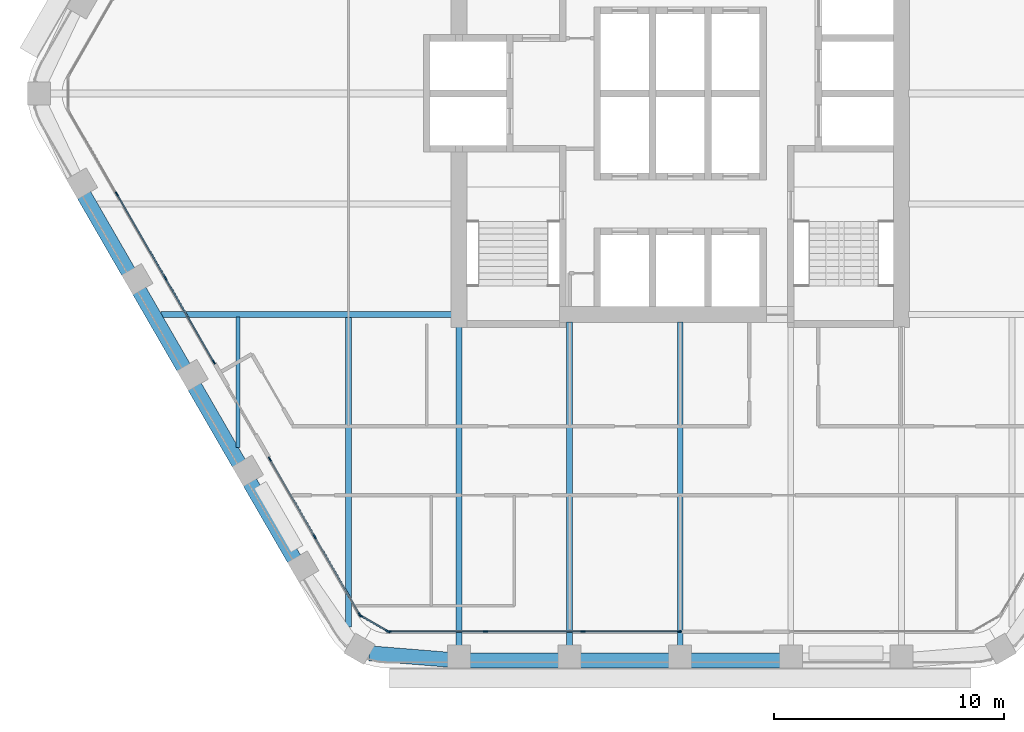
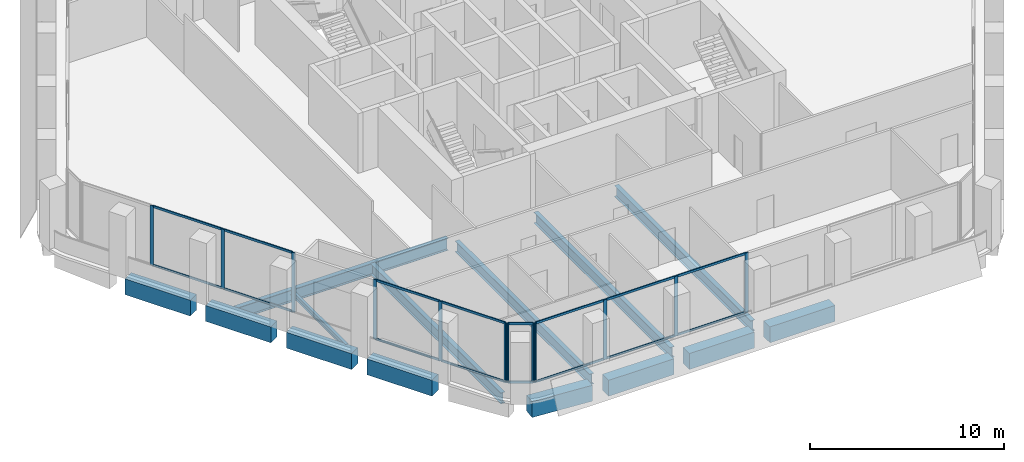
# One storey, part 2 of 15: 28 members, 14 beams, 4 elements without a shape of their own.
"""IFC4 building model written with IfcOpenShell, lengths in metres."""

from ifc_helpers import new_model, si_unit, direction, frame, origin, origin_2d, place, context, subcontext, project, spatial, rectangle, i_section, extrude, material, material_profile, profile_set, type_object, element, aggregate, save


model = new_model("IFC4")

# Units and contexts
model_context = context("Model", 3, precision=1e-05, world=origin(), true_north=direction((0.0, 1.0)))
body_context = subcontext(model_context, "Body", "Model", "MODEL_VIEW")
ifc_project = project(units=[si_unit("LENGTHUNIT", "METRE"), si_unit("AREAUNIT", "SQUARE_METRE"), si_unit("VOLUMEUNIT", "CUBIC_METRE"), si_unit("PLANEANGLEUNIT", "RADIAN"), si_unit("MASSUNIT", "GRAM", prefix="KILO")], contexts=[model_context])

# Site, building, storey
site_placement = place(None, origin())
site = spatial("IfcSite", under=ifc_project, at=site_placement, CompositionType="ELEMENT")
building_placement = place(site_placement, origin())
building = spatial("IfcBuilding", under=site, at=building_placement, Name="Kolab Exchange Tower", CompositionType="ELEMENT")
storey_placement = place(building_placement, frame((0.0, 0.0, 201.199951171875)))
storey = spatial("IfcBuildingStorey", under=building, at=storey_placement, Name="L43", CompositionType="ELEMENT", Elevation=201.199951171875)

# Beams
ifc_material_1 = material(Name="Steel S355", Category="steel")
ifc_material_profile_1 = material_profile(ifc_material_1, i_section(OverallWidth=0.1650390625, OverallDepth=0.31005859375, WebThickness=0.005859375, FlangeThickness=0.009765625, at=origin_2d()), Name="W310X39")
ifc_profile_set_1 = profile_set([ifc_material_profile_1], Name="Steel S355")
beam_type_1 = type_object("IfcBeamType", Name="FLOOR BEAM W310X39", PredefinedType="BEAM", material=ifc_profile_set_1)
beam_1_placement = place(storey_placement, frame((-19.199951171875, -15.36767578125, -0.304931640625), z_axis=(0.0, 1.0, 0.0), x_axis=(-1.0, 0.0, 0.0)))
element("IfcBeam", 1, at=beam_1_placement, inside=storey, type_object=beam_type_1, Name="beam/L43/fr/003", PredefinedType="BEAM", context=body_context, shape_type="SweptSolid", body=[
    extrude(i_section(OverallWidth=0.1650390625, OverallDepth=0.31005859375, WebThickness=0.005859375, FlangeThickness=0.009765625, at=origin_2d()), origin(), (0.0, 0.0, 1.0), 5.674072265625),
])
ifc_material_profile_2 = material_profile(ifc_material_1, i_section(OverallWidth=0.25390625, OverallDepth=0.68408203125, WebThickness=0.012451171875, FlangeThickness=0.018798828125, at=origin_2d()), Name="W690X140")
ifc_profile_set_2 = profile_set([ifc_material_profile_2], Name="Steel S355")
beam_type_2 = type_object("IfcBeamType", Name="FLOOR BEAM W690X140", PredefinedType="BEAM", material=ifc_profile_set_2)
beam_2_placement = place(storey_placement, frame((-14.39990234375, -23.15576171875, -0.491943359375), z_axis=(0.0, 1.0, 0.0), x_axis=(-1.0, 0.0, 0.0)))
element("IfcBeam", 2, at=beam_2_placement, inside=storey, type_object=beam_type_2, Name="beam/L43/fr/005", PredefinedType="BEAM", context=body_context, shape_type="SweptSolid", body=[
    extrude(i_section(OverallWidth=0.25390625, OverallDepth=0.68408203125, WebThickness=0.012451171875, FlangeThickness=0.018798828125, at=origin_2d()), origin(), (0.0, 0.0, 1.0), 13.462158203125),
])
beam_3_placement = place(storey_placement, frame((-9.60009765625, -23.9814453125, -0.491943359375), z_axis=(0.0, 1.0, 0.0), x_axis=(-1.0, 0.0, 0.0)))
element("IfcBeam", 3, at=beam_3_placement, inside=storey, type_object=beam_type_2, Name="beam/L43/fr/007", PredefinedType="BEAM", context=body_context, shape_type="SweptSolid", body=[
    extrude(i_section(OverallWidth=0.25390625, OverallDepth=0.68408203125, WebThickness=0.012451171875, FlangeThickness=0.018798828125, at=origin_2d()), origin(), (0.0, 0.0, 1.0), 13.871337890625),
])
for number, where, z_axis, x_axis, name in (
    (4, (-4.800048828125, -23.9814453125, -0.491943359375), (0.0, 1.0, 0.0), (-1.0, 0.0, 0.0), "beam/L43/fr/009"),
    (5, (0.0, -23.9814453125, -0.491943359375), (0.0, 1.0, 0.0), (-1.0, 0.0, 0.0), "beam/L43/fr/011"),
):
    element("IfcBeam", number, at=place(storey_placement, frame(where, z_axis=z_axis, x_axis=x_axis)), inside=storey, type_object=beam_type_2, Name=name, PredefinedType="BEAM", context=body_context, shape_type="SweptSolid", body=[
        extrude(i_section(OverallWidth=0.25390625, OverallDepth=0.68408203125, WebThickness=0.012451171875, FlangeThickness=0.018798828125, at=origin_2d()), origin(), (0.0, 0.0, 1.0), 14.071533203125),
    ])
ifc_material_profile_3 = material_profile(ifc_material_1, i_section(OverallWidth=0.26708984375, OverallDepth=0.761962890625, WebThickness=0.014404296875, FlangeThickness=0.021484375, at=origin_2d()), Name="W760X173")
ifc_profile_set_3 = profile_set([ifc_material_profile_3], Name="Steel S355")
beam_type_3 = type_object("IfcBeamType", Name="FLOOR GIRDER W760X173", PredefinedType="BEAM", material=ifc_profile_set_3)
beam_4_placement = place(storey_placement, frame((-22.546875, -9.60009765625, -0.531005859375), z_axis=(1.0, 0.0, 0.0), x_axis=(0.0, 1.0, 0.0)))
element("IfcBeam", 6, at=beam_4_placement, inside=storey, type_object=beam_type_3, Name="beam/L43/gd/000", PredefinedType="BEAM", context=body_context, shape_type="SweptSolid", body=[
    extrude(i_section(OverallWidth=0.26708984375, OverallDepth=0.761962890625, WebThickness=0.014404296875, FlangeThickness=0.021484375, at=origin_2d()), origin(), (0.0, 0.0, 1.0), 12.636962890625),
])
ifc_material_2 = material(Name="Concrete C60/75", Category="concrete")
ifc_material_profile_4 = material_profile(ifc_material_2, rectangle(XDim=0.64990234375, YDim=1.0, at=origin_2d()), Name="RC650X1000")
ifc_profile_set_4 = profile_set([ifc_material_profile_4], Name="Concrete C60/75")
beam_type_4 = type_object("IfcBeamType", Name="SPANDREL BEAM 650X1000 C60/75", PredefinedType="BEAM", material=ifc_profile_set_4)
for number, where, z_axis, x_axis, name in (
    (7, (4.340087890625, -24.616455078125, -0.64990234375), (-1.0, 0.0, 0.0), (0.0, -1.0, 0.0), "beam/L43/sp/F4-03"),
    (8, (-0.4599609375, -24.616455078125, -0.64990234375), (-1.0, 0.0, 0.0), (0.0, -1.0, 0.0), "beam/L43/sp/F4-04"),
):
    element("IfcBeam", number, at=place(storey_placement, frame(where, z_axis=z_axis, x_axis=x_axis)), inside=storey, type_object=beam_type_4, Name=name, PredefinedType="BEAM", context=body_context, shape_type="SweptSolid", body=[
        extrude(rectangle(XDim=0.64990234375, YDim=1.0, at=origin_2d()), origin(), (0.0, 0.0, 1.0), 3.880126953125),
    ])
beam_5_placement = place(storey_placement, frame((-5.260009765625, -24.616455078125, -0.64990234375), z_axis=(-1.0, 0.0, 0.0), x_axis=(0.0, -1.0, 0.0)))
element("IfcBeam", 9, at=beam_5_placement, inside=storey, type_object=beam_type_4, Name="beam/L43/sp/F4-05", PredefinedType="BEAM", context=body_context, shape_type="SweptSolid", body=[
    extrude(rectangle(XDim=0.64990234375, YDim=1.0, at=origin_2d()), origin(), (0.0, 0.0, 1.0), 3.8798828125),
])
beam_6_placement = place(storey_placement, frame((-10.06005859375, -24.5791015625, -0.64990234375), z_axis=(-0.996708497182, 0.081068931445, 0.0), x_axis=(-0.081068931445, -0.996708497182, 0.0)))
element("IfcBeam", 10, at=beam_6_placement, inside=storey, type_object=beam_type_4, Name="beam/L43/sp/F4-06", PredefinedType="BEAM", context=body_context, shape_type="SweptSolid", body=[
    extrude(rectangle(XDim=0.64990234375, YDim=1.0, at=origin_2d()), origin(), (0.0, 0.0, 1.0), 3.445068359375),
])
beam_7_placement = place(storey_placement, frame((-16.74853515625, -20.2236328125, -0.64990234375), z_axis=(-0.499996613652, 0.866027358884, 0.0), x_axis=(-0.866027358884, -0.499996613652, 0.0)))
element("IfcBeam", 11, at=beam_7_placement, inside=storey, type_object=beam_type_4, Name="beam/L43/sp/F5-02", PredefinedType="BEAM", context=body_context, shape_type="SweptSolid", body=[
    extrude(rectangle(XDim=0.64990234375, YDim=1.0, at=origin_2d()), origin(), (0.0, 0.0, 1.0), 3.8798828125),
])
beam_8_placement = place(storey_placement, frame((-19.1484375, -16.06689453125, -0.64990234375), z_axis=(-0.50001655835, 0.866015843605, 0.0), x_axis=(-0.866015843605, -0.50001655835, 0.0)))
element("IfcBeam", 12, at=beam_8_placement, inside=storey, type_object=beam_type_4, Name="beam/L43/sp/F5-03", PredefinedType="BEAM", context=body_context, shape_type="SweptSolid", body=[
    extrude(rectangle(XDim=0.64990234375, YDim=1.0, at=origin_2d()), origin(), (0.0, 0.0, 1.0), 3.880126953125),
])
for number, where, z_axis, x_axis, name in (
    (13, (-21.548583984375, -11.909912109375, -0.64990234375), (-0.499996613652, 0.866027358884, 0.0), (-0.866027358884, -0.499996613652, 0.0), "beam/L43/sp/F5-04"),
    (14, (-23.948486328125, -7.7529296875, -0.64990234375), (-0.499996613652, 0.866027358884, 0.0), (-0.866027358884, -0.499996613652, 0.0), "beam/L43/sp/F5-05"),
):
    element("IfcBeam", number, at=place(storey_placement, frame(where, z_axis=z_axis, x_axis=x_axis)), inside=storey, type_object=beam_type_4, Name=name, PredefinedType="BEAM", context=body_context, shape_type="SweptSolid", body=[
        extrude(rectangle(XDim=0.64990234375, YDim=1.0, at=origin_2d()), origin(), (0.0, 0.0, 1.0), 3.8798828125),
    ])

# Curtain wall, members
ifc_material_3 = material(Name="Aluminium EN AW-6063 T6", Category="aluminium")
curtain_wall_type = type_object("IfcCurtainWallType", Name="UNITISED UPPER MID ZONE CURTAIN WALL", PredefinedType="NOTDEFINED", material=ifc_material_3)
curtain_wall_1_placement = place(storey_placement, origin())
curtain_wall_1 = element("IfcCurtainWall", 15, at=curtain_wall_1_placement, inside=storey, type_object=curtain_wall_type, Name="cw/L43/F4-2", PredefinedType="NOTDEFINED")
ifc_material_profile_5 = material_profile(ifc_material_3, rectangle(XDim=0.06005859375, YDim=0.199951171875, at=origin_2d()), Name="RECT 60X200")
ifc_profile_set_5 = profile_set([ifc_material_profile_5], Name="Aluminium EN AW-6063 T6")
member_type_1 = type_object("IfcMemberType", Name="UNITISED UPPER MID ZONE MULLION 60 X 200", PredefinedType="MULLION", material=ifc_profile_set_5)
member_1_placement = place(storey_placement, frame((-0.030029296875, -23.361572265625, 0.0), z_axis=(0.0, 0.0, 1.0), x_axis=(0.0, -1.0, 0.0)))
member_1 = element("IfcMember", 16, at=member_1_placement, type_object=member_type_1, Name="CW3 mullion 1", PredefinedType="MULLION", context=body_context, shape_type="SweptSolid", body=[
    extrude(rectangle(XDim=0.06005859375, YDim=0.199951171875, at=origin_2d()), origin(), (0.0, 0.0, 1.0), 3.75),
])
member_2_placement = place(storey_placement, frame((-4.22265625, -23.361572265625, 0.0), z_axis=(0.0, 0.0, 1.0), x_axis=(0.0, -1.0, 0.0)))
member_2 = element("IfcMember", 17, at=member_2_placement, type_object=member_type_1, Name="CW3 mullion 2", PredefinedType="MULLION", context=body_context, shape_type="SweptSolid", body=[
    extrude(rectangle(XDim=0.06005859375, YDim=0.199951171875, at=origin_2d()), origin(), (0.0, 0.0, 1.0), 3.75),
])
member_3_placement = place(storey_placement, frame((-8.4453125, -23.361572265625, 0.0), z_axis=(0.0, 0.0, 1.0), x_axis=(0.0, -1.0, 0.0)))
member_3 = element("IfcMember", 18, at=member_3_placement, type_object=member_type_1, Name="CW3 mullion 3", PredefinedType="MULLION", context=body_context, shape_type="SweptSolid", body=[
    extrude(rectangle(XDim=0.06005859375, YDim=0.199951171875, at=origin_2d()), origin(), (0.0, 0.0, 1.0), 3.75),
])
member_4_placement = place(storey_placement, frame((-12.637939453125, -23.361572265625, 0.0), z_axis=(0.0, 0.0, 1.0), x_axis=(0.0, -1.0, 0.0)))
member_4 = element("IfcMember", 19, at=member_4_placement, type_object=member_type_1, Name="CW3 mullion 4", PredefinedType="MULLION", context=body_context, shape_type="SweptSolid", body=[
    extrude(rectangle(XDim=0.06005859375, YDim=0.199951171875, at=origin_2d()), origin(), (0.0, 0.0, 1.0), 3.75),
])

curtain_wall_2_placement = place(storey_placement, origin())
curtain_wall_2 = element("IfcCurtainWall", 20, at=curtain_wall_2_placement, inside=storey, type_object=curtain_wall_type, Name="cw/L43/F5-1", PredefinedType="NOTDEFINED")
member_5_placement = place(storey_placement, frame((-13.91259765625, -22.62548828125, 0.0), z_axis=(0.0, 0.0, 1.0), x_axis=(-0.866025385493, -0.500000031681, 0.0)))
member_5 = element("IfcMember", 21, at=member_5_placement, type_object=member_type_1, Name="CW3 mullion 1", PredefinedType="MULLION", context=body_context, shape_type="SweptSolid", body=[
    extrude(rectangle(XDim=0.06005859375, YDim=0.199951171875, at=origin_2d()), origin(), (0.0, 0.0, 1.0), 3.75),
])
member_6_placement = place(storey_placement, frame((-15.86474609375, -19.24462890625, 0.0), z_axis=(0.0, 0.0, 1.0), x_axis=(-0.866025385493, -0.500000031681, 0.0)))
member_6 = element("IfcMember", 22, at=member_6_placement, type_object=member_type_1, Name="CW3 mullion 2", PredefinedType="MULLION", context=body_context, shape_type="SweptSolid", body=[
    extrude(rectangle(XDim=0.06005859375, YDim=0.199951171875, at=origin_2d()), origin(), (0.0, 0.0, 1.0), 3.75),
])
member_7_placement = place(storey_placement, frame((-17.816650390625, -15.86376953125, 0.0), z_axis=(0.0, 0.0, 1.0), x_axis=(-0.866025385493, -0.500000031681, 0.0)))
member_7 = element("IfcMember", 23, at=member_7_placement, type_object=member_type_1, Name="CW3 mullion 3", PredefinedType="MULLION", context=body_context, shape_type="SweptSolid", body=[
    extrude(rectangle(XDim=0.06005859375, YDim=0.199951171875, at=origin_2d()), origin(), (0.0, 0.0, 1.0), 3.75),
])

curtain_wall_3_placement = place(storey_placement, origin())
curtain_wall_3 = element("IfcCurtainWall", 24, at=curtain_wall_3_placement, inside=storey, type_object=curtain_wall_type, Name="cw/L43/F5-2", PredefinedType="NOTDEFINED")
member_8_placement = place(storey_placement, frame((-20.24658203125, -11.65478515625, 0.0), z_axis=(0.0, 0.0, 1.0), x_axis=(-0.866025427826, -0.499999958358, 0.0)))
member_8 = element("IfcMember", 25, at=member_8_placement, type_object=member_type_1, Name="CW3 mullion 1", PredefinedType="MULLION", context=body_context, shape_type="SweptSolid", body=[
    extrude(rectangle(XDim=0.06005859375, YDim=0.199951171875, at=origin_2d()), origin(), (0.0, 0.0, 1.0), 3.75),
])
member_9_placement = place(storey_placement, frame((-22.343017578125, -8.02392578125, 0.0), z_axis=(0.0, 0.0, 1.0), x_axis=(-0.866025427826, -0.499999958358, 0.0)))
member_9 = element("IfcMember", 26, at=member_9_placement, type_object=member_type_1, Name="CW3 mullion 2", PredefinedType="MULLION", context=body_context, shape_type="SweptSolid", body=[
    extrude(rectangle(XDim=0.06005859375, YDim=0.199951171875, at=origin_2d()), origin(), (0.0, 0.0, 1.0), 3.75),
])
member_10_placement = place(storey_placement, frame((-24.454345703125, -4.366943359375, 0.0), z_axis=(0.0, 0.0, 1.0), x_axis=(-0.866025427826, -0.499999958358, 0.0)))
member_10 = element("IfcMember", 27, at=member_10_placement, type_object=member_type_1, Name="CW3 mullion 3", PredefinedType="MULLION", context=body_context, shape_type="SweptSolid", body=[
    extrude(rectangle(XDim=0.06005859375, YDim=0.199951171875, at=origin_2d()), origin(), (0.0, 0.0, 1.0), 3.75),
])

curtain_wall_4_placement = place(storey_placement, origin())
curtain_wall_4 = element("IfcCurtainWall", 28, at=curtain_wall_4_placement, inside=storey, type_object=curtain_wall_type, Name="cw/L43/F4F5-corner", PredefinedType="NOTDEFINED")
member_11_placement = place(storey_placement, frame((-12.69384765625, -23.346435546875, 0.0), z_axis=(0.0, 0.0, 1.0), x_axis=(-0.50000002237, -0.866025390869, 0.0)))
member_11 = element("IfcMember", 29, at=member_11_placement, type_object=member_type_1, Name="CW3 mullion 1", PredefinedType="MULLION", context=body_context, shape_type="SweptSolid", body=[
    extrude(rectangle(XDim=0.06005859375, YDim=0.199951171875, at=origin_2d()), origin(), (0.0, 0.0, 1.0), 3.75),
])
member_12_placement = place(storey_placement, frame((-13.871826171875, -22.66650390625, 0.0), z_axis=(0.0, 0.0, 1.0), x_axis=(-0.50000002237, -0.866025390869, 0.0)))
member_12 = element("IfcMember", 30, at=member_12_placement, type_object=member_type_1, Name="CW3 mullion 2", PredefinedType="MULLION", context=body_context, shape_type="SweptSolid", body=[
    extrude(rectangle(XDim=0.06005859375, YDim=0.199951171875, at=origin_2d()), origin(), (0.0, 0.0, 1.0), 3.75),
])

# Member
ifc_material_profile_6 = material_profile(ifc_material_3, rectangle(XDim=0.06005859375, YDim=0.139892578125, at=origin_2d()), Name="RECT 60X140")
ifc_profile_set_6 = profile_set([ifc_material_profile_6], Name="Aluminium EN AW-6063 T6")
member_type_2 = type_object("IfcMemberType", Name="UNITISED UPPER MID ZONE TRANSOM 60 X 140", PredefinedType="USERDEFINED", material=ifc_profile_set_6)
member_13_placement = place(storey_placement, frame((-0.06005859375, -23.361572265625, 0.030029296875), z_axis=(-1.0, 0.0, 0.0), x_axis=(0.0, -1.0, 0.0)))
member_13 = element("IfcMember", 31, at=member_13_placement, type_object=member_type_2, Name="CW3 transom 1.1", ObjectType="TRANSOM", PredefinedType="USERDEFINED", context=body_context, shape_type="SweptSolid", body=[
    extrude(rectangle(XDim=0.06005859375, YDim=0.139892578125, at=origin_2d()), origin(), (0.0, 0.0, 1.0), 4.132568359375),
])

member_14_placement = place(storey_placement, frame((-0.06005859375, -23.361572265625, 3.719970703125), z_axis=(-1.0, 0.0, 0.0), x_axis=(0.0, -1.0, 0.0)))
member_14 = element("IfcMember", 32, at=member_14_placement, type_object=member_type_2, Name="CW3 transom 1.2", ObjectType="TRANSOM", PredefinedType="USERDEFINED", context=body_context, shape_type="SweptSolid", body=[
    extrude(rectangle(XDim=0.06005859375, YDim=0.139892578125, at=origin_2d()), origin(), (0.0, 0.0, 1.0), 4.132568359375),
])

member_15_placement = place(storey_placement, frame((-4.252685546875, -23.361572265625, 0.030029296875), z_axis=(-1.0, 0.0, 0.0), x_axis=(0.0, -1.0, 0.0)))
member_15 = element("IfcMember", 33, at=member_15_placement, type_object=member_type_2, Name="CW3 transom 2.1", ObjectType="TRANSOM", PredefinedType="USERDEFINED", context=body_context, shape_type="SweptSolid", body=[
    extrude(rectangle(XDim=0.06005859375, YDim=0.139892578125, at=origin_2d()), origin(), (0.0, 0.0, 1.0), 4.16259765625),
])

member_16_placement = place(storey_placement, frame((-4.252685546875, -23.361572265625, 3.719970703125), z_axis=(-1.0, 0.0, 0.0), x_axis=(0.0, -1.0, 0.0)))
member_16 = element("IfcMember", 34, at=member_16_placement, type_object=member_type_2, Name="CW3 transom 2.2", ObjectType="TRANSOM", PredefinedType="USERDEFINED", context=body_context, shape_type="SweptSolid", body=[
    extrude(rectangle(XDim=0.06005859375, YDim=0.139892578125, at=origin_2d()), origin(), (0.0, 0.0, 1.0), 4.16259765625),
])

member_17_placement = place(storey_placement, frame((-8.475341796875, -23.361572265625, 0.030029296875), z_axis=(-1.0, 0.0, 0.0), x_axis=(0.0, -1.0, 0.0)))
member_17 = element("IfcMember", 35, at=member_17_placement, type_object=member_type_2, Name="CW3 transom 3.1", ObjectType="TRANSOM", PredefinedType="USERDEFINED", context=body_context, shape_type="SweptSolid", body=[
    extrude(rectangle(XDim=0.06005859375, YDim=0.139892578125, at=origin_2d()), origin(), (0.0, 0.0, 1.0), 4.132568359375),
])

member_18_placement = place(storey_placement, frame((-8.475341796875, -23.361572265625, 3.719970703125), z_axis=(-1.0, 0.0, 0.0), x_axis=(0.0, -1.0, 0.0)))
member_18 = element("IfcMember", 36, at=member_18_placement, type_object=member_type_2, Name="CW3 transom 3.2", ObjectType="TRANSOM", PredefinedType="USERDEFINED", context=body_context, shape_type="SweptSolid", body=[
    extrude(rectangle(XDim=0.06005859375, YDim=0.139892578125, at=origin_2d()), origin(), (0.0, 0.0, 1.0), 4.132568359375),
])

aggregate(curtain_wall_1, [member_1, member_2, member_3, member_4, member_13, member_14, member_15, member_16, member_17, member_18])

member_19_placement = place(storey_placement, frame((-13.927734375, -22.599609375, 0.030029296875), z_axis=(-0.499964356602, 0.866045981532, 0.0), x_axis=(-0.866045981532, -0.499964356602, 0.0)))
member_19 = element("IfcMember", 37, at=member_19_placement, type_object=member_type_2, Name="CW3 transom 1.1", ObjectType="TRANSOM", PredefinedType="USERDEFINED", context=body_context, shape_type="SweptSolid", body=[
    extrude(rectangle(XDim=0.06005859375, YDim=0.139892578125, at=origin_2d()), origin(), (0.0, 0.0, 1.0), 3.843994140625),
])

member_20_placement = place(storey_placement, frame((-13.927734375, -22.599609375, 3.719970703125), z_axis=(-0.499964356602, 0.866045981532, 0.0), x_axis=(-0.866045981532, -0.499964356602, 0.0)))
member_20 = element("IfcMember", 38, at=member_20_placement, type_object=member_type_2, Name="CW3 transom 1.2", ObjectType="TRANSOM", PredefinedType="USERDEFINED", context=body_context, shape_type="SweptSolid", body=[
    extrude(rectangle(XDim=0.06005859375, YDim=0.139892578125, at=origin_2d()), origin(), (0.0, 0.0, 1.0), 3.843994140625),
])

member_21_placement = place(storey_placement, frame((-15.879638671875, -19.21875, 0.030029296875), z_axis=(-0.500011990396, 0.866018481016, 0.0), x_axis=(-0.866018481016, -0.500011990396, 0.0)))
member_21 = element("IfcMember", 39, at=member_21_placement, type_object=member_type_2, Name="CW3 transom 2.1", ObjectType="TRANSOM", PredefinedType="USERDEFINED", context=body_context, shape_type="SweptSolid", body=[
    extrude(rectangle(XDim=0.06005859375, YDim=0.139892578125, at=origin_2d()), origin(), (0.0, 0.0, 1.0), 3.84423828125),
])

member_22_placement = place(storey_placement, frame((-15.879638671875, -19.21875, 3.719970703125), z_axis=(-0.500011990396, 0.866018481016, 0.0), x_axis=(-0.866018481016, -0.500011990396, 0.0)))
member_22 = element("IfcMember", 40, at=member_22_placement, type_object=member_type_2, Name="CW3 transom 2.2", ObjectType="TRANSOM", PredefinedType="USERDEFINED", context=body_context, shape_type="SweptSolid", body=[
    extrude(rectangle(XDim=0.06005859375, YDim=0.139892578125, at=origin_2d()), origin(), (0.0, 0.0, 1.0), 3.84423828125),
])

aggregate(curtain_wall_2, [member_5, member_6, member_7, member_19, member_20, member_21, member_22])

member_23_placement = place(storey_placement, frame((-20.26171875, -11.62890625, 0.030029296875), z_axis=(-0.500001996123, 0.866024251319, 0.0), x_axis=(-0.866024251319, -0.500001996123, 0.0)))
member_23 = element("IfcMember", 41, at=member_23_placement, type_object=member_type_2, Name="CW3 transom 1.1", ObjectType="TRANSOM", PredefinedType="USERDEFINED", context=body_context, shape_type="SweptSolid", body=[
    extrude(rectangle(XDim=0.06005859375, YDim=0.139892578125, at=origin_2d()), origin(), (0.0, 0.0, 1.0), 4.1328125),
])

member_24_placement = place(storey_placement, frame((-20.26171875, -11.62890625, 3.719970703125), z_axis=(-0.500001996123, 0.866024251319, 0.0), x_axis=(-0.866024251319, -0.500001996123, 0.0)))
member_24 = element("IfcMember", 42, at=member_24_placement, type_object=member_type_2, Name="CW3 transom 1.2", ObjectType="TRANSOM", PredefinedType="USERDEFINED", context=body_context, shape_type="SweptSolid", body=[
    extrude(rectangle(XDim=0.06005859375, YDim=0.139892578125, at=origin_2d()), origin(), (0.0, 0.0, 1.0), 4.1328125),
])

member_25_placement = place(storey_placement, frame((-22.35791015625, -7.997802734375, 0.030029296875), z_axis=(-0.49999322259, 0.866029316688, 0.0), x_axis=(-0.866029316688, -0.49999322259, 0.0)))
member_25 = element("IfcMember", 43, at=member_25_placement, type_object=member_type_2, Name="CW3 transom 2.1", ObjectType="TRANSOM", PredefinedType="USERDEFINED", context=body_context, shape_type="SweptSolid", body=[
    extrude(rectangle(XDim=0.06005859375, YDim=0.139892578125, at=origin_2d()), origin(), (0.0, 0.0, 1.0), 4.16259765625),
])

member_26_placement = place(storey_placement, frame((-22.35791015625, -7.997802734375, 3.719970703125), z_axis=(-0.49999322259, 0.866029316688, 0.0), x_axis=(-0.866029316688, -0.49999322259, 0.0)))
member_26 = element("IfcMember", 44, at=member_26_placement, type_object=member_type_2, Name="CW3 transom 2.2", ObjectType="TRANSOM", PredefinedType="USERDEFINED", context=body_context, shape_type="SweptSolid", body=[
    extrude(rectangle(XDim=0.06005859375, YDim=0.139892578125, at=origin_2d()), origin(), (0.0, 0.0, 1.0), 4.16259765625),
])

aggregate(curtain_wall_3, [member_8, member_9, member_10, member_23, member_24, member_25, member_26])

member_27_placement = place(storey_placement, frame((-12.719970703125, -23.33154296875, 0.030029296875), z_axis=(-0.86603858612, 0.49997716683, 0.0), x_axis=(-0.49997716683, -0.86603858612, 0.0)))
member_27 = element("IfcMember", 45, at=member_27_placement, type_object=member_type_2, Name="CW3 transom 1.1", ObjectType="TRANSOM", PredefinedType="USERDEFINED", context=body_context, shape_type="SweptSolid", body=[
    extrude(rectangle(XDim=0.06005859375, YDim=0.139892578125, at=origin_2d()), origin(), (0.0, 0.0, 1.0), 1.2998046875),
])

member_28_placement = place(storey_placement, frame((-12.719970703125, -23.33154296875, 3.719970703125), z_axis=(-0.86603858612, 0.49997716683, 0.0), x_axis=(-0.49997716683, -0.86603858612, 0.0)))
member_28 = element("IfcMember", 46, at=member_28_placement, type_object=member_type_2, Name="CW3 transom 1.2", ObjectType="TRANSOM", PredefinedType="USERDEFINED", context=body_context, shape_type="SweptSolid", body=[
    extrude(rectangle(XDim=0.06005859375, YDim=0.139892578125, at=origin_2d()), origin(), (0.0, 0.0, 1.0), 1.2998046875),
])

aggregate(curtain_wall_4, [member_11, member_12, member_27, member_28])

save(model, "model.ifc")
